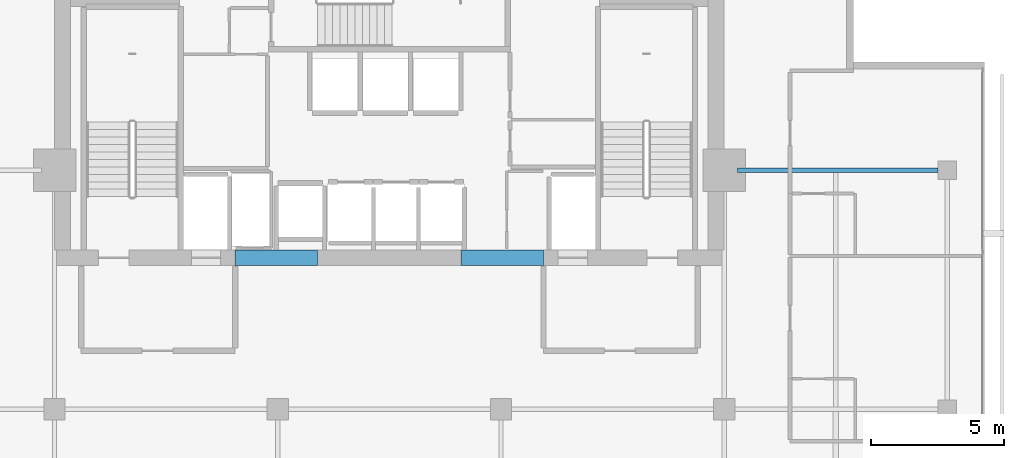
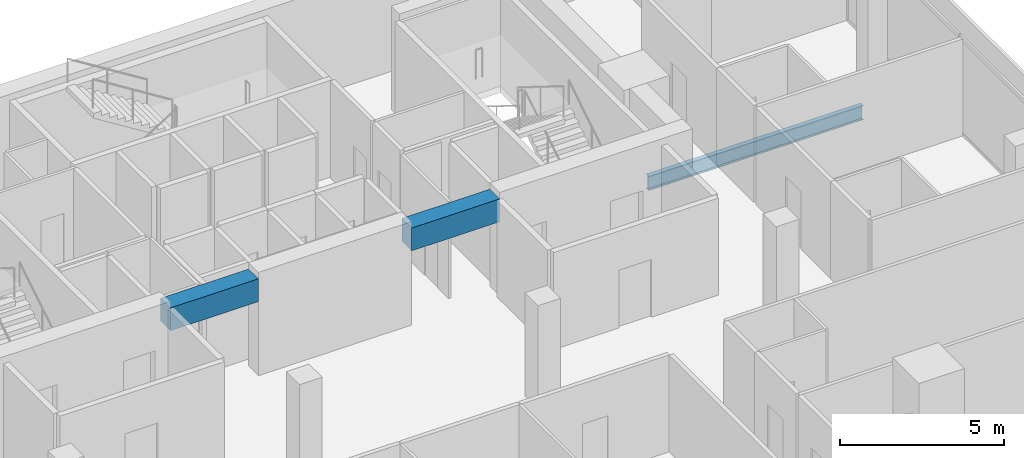
# One storey, part 17 of 25: 3 beams.
"""IFC4 building model written with IfcOpenShell, lengths in metres."""

from ifc_helpers import new_model, si_unit, direction, frame, origin, origin_2d, place, context, subcontext, project, spatial, rectangle, i_section, extrude, material, material_profile, profile_set, type_object, element, save


model = new_model("IFC4")

# Units and contexts
model_context = context("Model", 3, precision=1e-05, world=origin(), true_north=direction((0.0, 1.0)))
body_context = subcontext(model_context, "Body", "Model", "MODEL_VIEW")
ifc_project = project(units=[si_unit("LENGTHUNIT", "METRE"), si_unit("AREAUNIT", "SQUARE_METRE"), si_unit("VOLUMEUNIT", "CUBIC_METRE"), si_unit("PLANEANGLEUNIT", "RADIAN"), si_unit("MASSUNIT", "GRAM", prefix="KILO")], contexts=[model_context])

# Site, building, storey
site_placement = place(None, origin())
site = spatial("IfcSite", under=ifc_project, at=site_placement, CompositionType="ELEMENT")
building_placement = place(site_placement, origin())
building = spatial("IfcBuilding", under=site, at=building_placement, Name="Maruvema Waterfront Hotel and Observation Tower", CompositionType="ELEMENT")
storey_placement = place(building_placement, frame((0.0, 0.0, 297.14990234375)))
storey = spatial("IfcBuildingStorey", under=building, at=storey_placement, Name="L73", CompositionType="ELEMENT", Elevation=297.14990234375)

# Beams
ifc_material_1 = material(Name="Concrete C60/75", Category="concrete")
ifc_material_profile_1 = material_profile(ifc_material_1, rectangle(XDim=0.60009765625, YDim=0.85009765625, at=origin_2d()), Name="CB600x850")
ifc_profile_set_1 = profile_set([ifc_material_profile_1], Name="Concrete C60/75")
beam_type_1 = type_object("IfcBeamType", Name="Core Coupling Lintel Beam CB600x850", PredefinedType="LINTEL", material=ifc_profile_set_1)
for number, where, z_axis, x_axis, name in (
    (1, (32.0, 41.699951171875, 3.18505859375), (1.0, 0.0, 0.0), (0.0, 1.0, 0.0), "L73 Core Coupling Lintel Beam West"),
    (2, (40.5, 41.699951171875, 3.18505859375), (1.0, 0.0, 0.0), (0.0, 1.0, 0.0), "L73 Core Coupling Lintel Beam East"),
):
    element("IfcBeam", number, at=place(storey_placement, frame(where, z_axis=z_axis, x_axis=x_axis)), inside=storey, type_object=beam_type_1, Name=name, PredefinedType="LINTEL", context=body_context, shape_type="SweptSolid", body=[
        extrude(rectangle(XDim=0.60009765625, YDim=0.85009765625, at=origin_2d()), origin(), (0.0, 0.0, 1.0), 3.10009765625),
    ])
ifc_material_2 = material(Name="Steel ASTM A572 Grade 50", Category="steel")
ifc_material_profile_2 = material_profile(ifc_material_2, i_section(OverallWidth=0.166015625, OverallDepth=0.529052734375, WebThickness=0.009765625, FlangeThickness=0.013671875, FilletRadius=0.014892578125, at=origin_2d()), Name="W530x74.0")
ifc_profile_set_2 = profile_set([ifc_material_profile_2], Name="Steel ASTM A572 Grade 50")
beam_type_2 = type_object("IfcBeamType", Name="Primary Floor Girder W530x74.0", PredefinedType="BEAM", material=ifc_profile_set_2)
beam_placement = place(storey_placement, frame((50.89990234375, 45.0, -0.50439453125), z_axis=(1.0, 0.0, 0.0), x_axis=(0.0, 1.0, 0.0)))
element("IfcBeam", 3, at=beam_placement, inside=storey, type_object=beam_type_2, Name="L73 Floor Girder EW-18", PredefinedType="BEAM", context=body_context, shape_type="SweptSolid", body=[
    extrude(i_section(OverallWidth=0.166015625, OverallDepth=0.529052734375, WebThickness=0.009765625, FlangeThickness=0.013671875, FilletRadius=0.014892578125, at=origin_2d()), origin(), (0.0, 0.0, 1.0), 7.550048828125),
])

save(model, "model.ifc")
